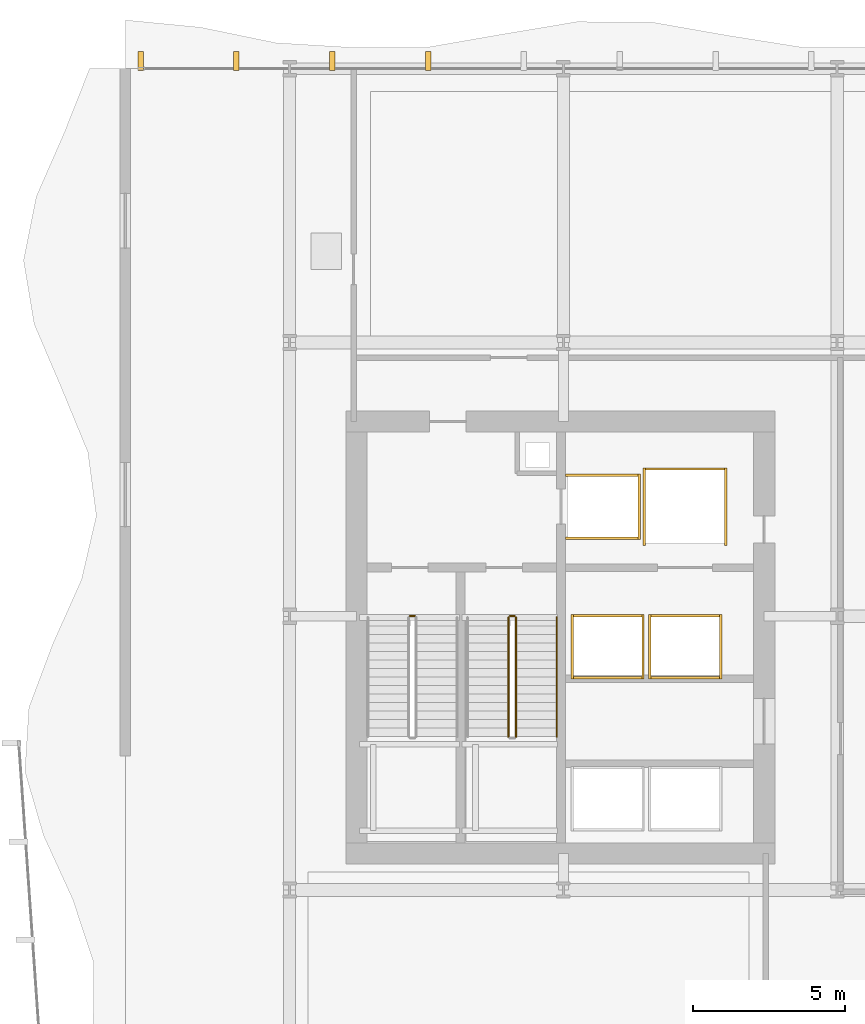
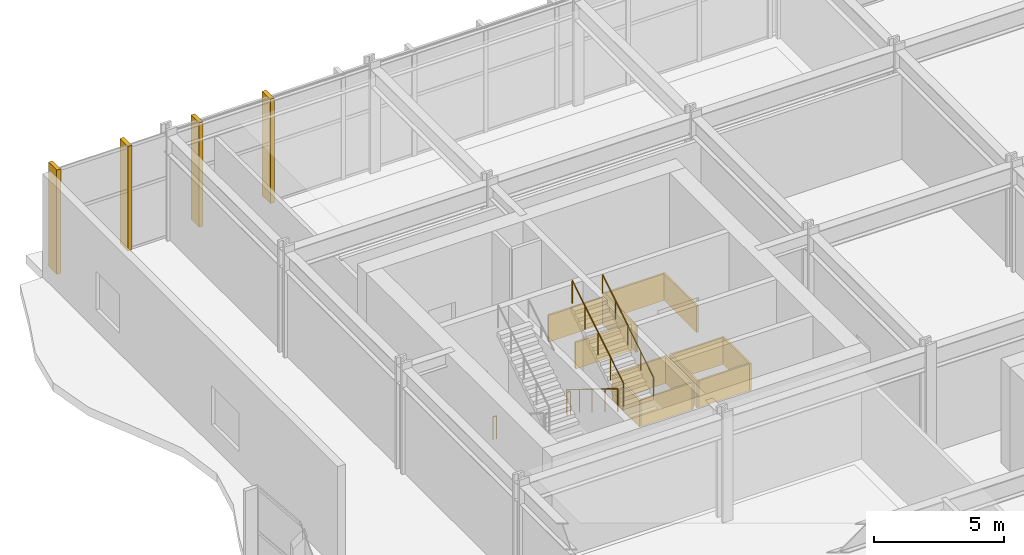
# One storey, part 29 of 31: 18 coverings, 5 railings.
"""IFC4 building model written with IfcOpenShell, lengths in metres."""

from ifc_helpers import new_model, si_unit, direction, frame, origin, origin_2d, place, context, subcontext, project, spatial, rectangle, circle, extrude, material, layer, layer_set, type_object, element, save


model = new_model("IFC4")

# Units and contexts
model_context = context("Model", 3, precision=1e-05, world=origin(), true_north=direction((0.0, 1.0)))
body_context = subcontext(model_context, "Body", "Model", "MODEL_VIEW")
ifc_project = project(units=[si_unit("LENGTHUNIT", "METRE"), si_unit("AREAUNIT", "SQUARE_METRE"), si_unit("VOLUMEUNIT", "CUBIC_METRE"), si_unit("PLANEANGLEUNIT", "RADIAN"), si_unit("MASSUNIT", "GRAM", prefix="KILO")], contexts=[model_context])

# Site, building, storey
site_placement = place(None, origin())
site = spatial("IfcSite", under=ifc_project, at=site_placement, CompositionType="ELEMENT")
building_placement = place(site_placement, origin())
building = spatial("IfcBuilding", under=site, at=building_placement, Name="Solvaryn Broadcast Tower", CompositionType="ELEMENT")
storey_placement = place(building_placement, frame((0.0, 0.0, 11.0)))
storey = spatial("IfcBuildingStorey", under=building, at=storey_placement, Name="L02", CompositionType="ELEMENT", Elevation=11.0)

# Coverings
ifc_material_1 = material(Name="Fire-Rated Gypsum Shaftwall Liner", Category="concrete")
ifc_layer_1 = layer(ifc_material_1, 0.080078125)
ifc_layer_set_1 = layer_set([ifc_layer_1], Name="CV-SHAFT-LINER")
covering_type_1 = type_object("IfcCoveringType", Name="CV-SHAFT-LINER", PredefinedType="CLADDING", material=ifc_layer_set_1)
for number, where, z_axis, x_axis, name in (
    (1, (19.300048828125, 40.639892578125, 0.0), (0.0, 0.0, 1.0), (1.0, 0.0, 0.0), "L02 FL1 Hoistway Shaft Liner North"),
    (2, (19.300048828125, 38.56005859375, 0.0), (0.0, 0.0, 1.0), (1.0, 0.0, 0.0), "L02 FL1 Hoistway Shaft Liner South"),
):
    element("IfcCovering", number, at=place(storey_placement, frame(where, z_axis=z_axis, x_axis=x_axis)), inside=storey, type_object=covering_type_1, Name=name, PredefinedType="CLADDING", context=body_context, shape_type="SweptSolid", body=[
        extrude(rectangle(XDim=2.4599609375, YDim=0.080078125, at=origin_2d()), origin(), (0.0, 0.0, 1.0), 1.25),
    ])
covering_1_placement = place(storey_placement, frame((20.489990234375, 39.60009765625, 0.0), z_axis=(0.0, 0.0, 1.0), x_axis=(1.0, 0.0, 0.0)))
element("IfcCovering", 3, at=covering_1_placement, inside=storey, type_object=covering_type_1, Name="L02 FL1 Hoistway Shaft Liner East", PredefinedType="CLADDING", context=body_context, shape_type="SweptSolid", body=[
    extrude(rectangle(XDim=0.080078125, YDim=2.159912109375, at=origin_2d()), origin(), (0.0, 0.0, 1.0), 1.25),
])
covering_2_placement = place(storey_placement, frame((22.0, 40.840087890625, 0.0), z_axis=(0.0, 0.0, 1.0), x_axis=(1.0, 0.0, 0.0)))
element("IfcCovering", 4, at=covering_2_placement, inside=storey, type_object=covering_type_1, Name="L02 SV1 Hoistway Shaft Liner North", PredefinedType="CLADDING", context=body_context, shape_type="SweptSolid", body=[
    extrude(rectangle(XDim=2.760009765625, YDim=0.080078125, at=origin_2d()), origin(), (0.0, 0.0, 1.0), 1.25),
])
for number, where, z_axis, x_axis, name in (
    (5, (23.340087890625, 39.60009765625, 0.0), (0.0, 0.0, 1.0), (1.0, 0.0, 0.0), "L02 SV1 Hoistway Shaft Liner East"),
    (6, (20.659912109375, 39.60009765625, 0.0), (0.0, 0.0, 1.0), (1.0, 0.0, 0.0), "L02 SV1 Hoistway Shaft Liner West"),
):
    element("IfcCovering", number, at=place(storey_placement, frame(where, z_axis=z_axis, x_axis=x_axis)), inside=storey, type_object=covering_type_1, Name=name, PredefinedType="CLADDING", context=body_context, shape_type="SweptSolid", body=[
        extrude(rectangle(XDim=0.080078125, YDim=2.56005859375, at=origin_2d()), origin(), (0.0, 0.0, 1.0), 1.25),
    ])
for number, where, z_axis, x_axis, name in (
    (7, (19.449951171875, 36.014892578125, 0.0), (0.0, 0.0, 1.0), (1.0, 0.0, 0.0), "L02 PH3 Hoistway Shaft Liner North"),
    (8, (19.449951171875, 33.985107421875, 0.0), (0.0, 0.0, 1.0), (1.0, 0.0, 0.0), "L02 PH3 Hoistway Shaft Liner South"),
):
    element("IfcCovering", number, at=place(storey_placement, frame(where, z_axis=z_axis, x_axis=x_axis)), inside=storey, type_object=covering_type_1, Name=name, PredefinedType="CLADDING", context=body_context, shape_type="SweptSolid", body=[
        extrude(rectangle(XDim=2.409912109375, YDim=0.080078125, at=origin_2d()), origin(), (0.0, 0.0, 1.0), 1.25),
    ])
for number, where, z_axis, x_axis, name in (
    (9, (20.614990234375, 35.0, 0.0), (0.0, 0.0, 1.0), (1.0, 0.0, 0.0), "L02 PH3 Hoistway Shaft Liner East"),
    (10, (18.284912109375, 35.0, 0.0), (0.0, 0.0, 1.0), (1.0, 0.0, 0.0), "L02 PH3 Hoistway Shaft Liner West"),
):
    element("IfcCovering", number, at=place(storey_placement, frame(where, z_axis=z_axis, x_axis=x_axis)), inside=storey, type_object=covering_type_1, Name=name, PredefinedType="CLADDING", context=body_context, shape_type="SweptSolid", body=[
        extrude(rectangle(XDim=0.080078125, YDim=2.110107421875, at=origin_2d()), origin(), (0.0, 0.0, 1.0), 1.25),
    ])
for number, where, z_axis, x_axis, name in (
    (11, (22.0, 36.014892578125, 0.0), (0.0, 0.0, 1.0), (1.0, 0.0, 0.0), "L02 PH4 Hoistway Shaft Liner North"),
    (12, (22.0, 33.985107421875, 0.0), (0.0, 0.0, 1.0), (1.0, 0.0, 0.0), "L02 PH4 Hoistway Shaft Liner South"),
):
    element("IfcCovering", number, at=place(storey_placement, frame(where, z_axis=z_axis, x_axis=x_axis)), inside=storey, type_object=covering_type_1, Name=name, PredefinedType="CLADDING", context=body_context, shape_type="SweptSolid", body=[
        extrude(rectangle(XDim=2.409912109375, YDim=0.080078125, at=origin_2d()), origin(), (0.0, 0.0, 1.0), 1.25),
    ])
for number, where, z_axis, x_axis, name in (
    (13, (23.1650390625, 35.0, 0.0), (0.0, 0.0, 1.0), (1.0, 0.0, 0.0), "L02 PH4 Hoistway Shaft Liner East"),
    (14, (20.8349609375, 35.0, 0.0), (0.0, 0.0, 1.0), (1.0, 0.0, 0.0), "L02 PH4 Hoistway Shaft Liner West"),
):
    element("IfcCovering", number, at=place(storey_placement, frame(where, z_axis=z_axis, x_axis=x_axis)), inside=storey, type_object=covering_type_1, Name=name, PredefinedType="CLADDING", context=body_context, shape_type="SweptSolid", body=[
        extrude(rectangle(XDim=0.080078125, YDim=2.110107421875, at=origin_2d()), origin(), (0.0, 0.0, 1.0), 1.25),
    ])
ifc_material_2 = material(Name="Extruded Architectural Terracotta Fin", Category="masonry")
ifc_layer_2 = layer(ifc_material_2, 0.179931640625)
ifc_layer_set_2 = layer_set([ifc_layer_2], Name="CV-TC-FIN")
covering_type_2 = type_object("IfcCoveringType", Name="CV-TC-FIN", PredefinedType="USERDEFINED", material=ifc_layer_set_2)
for number, where, z_axis, x_axis, name in (
    (15, (4.10009765625, 54.25, 0.0), (0.0, 0.0, 1.0), (1.0, 0.0, 0.0), "L02 Terracotta Vertical Fin FIN-POD-L02-N1-00"),
    (16, (7.25, 54.25, 0.0), (0.0, 0.0, 1.0), (1.0, 0.0, 0.0), "L02 Terracotta Vertical Fin FIN-POD-L02-N1-01"),
    (17, (10.39990234375, 54.25, 0.0), (0.0, 0.0, 1.0), (1.0, 0.0, 0.0), "L02 Terracotta Vertical Fin FIN-POD-L02-N1-02"),
    (18, (13.550048828125, 54.25, 0.0), (0.0, 0.0, 1.0), (1.0, 0.0, 0.0), "L02 Terracotta Vertical Fin FIN-POD-L02-N1-03"),
):
    element("IfcCovering", number, at=place(storey_placement, frame(where, z_axis=z_axis, x_axis=x_axis)), inside=storey, type_object=covering_type_2, Name=name, ObjectType="FIN", PredefinedType="USERDEFINED", context=body_context, shape_type="SweptSolid", body=[
        extrude(rectangle(XDim=0.179931640625, YDim=0.6201171875, at=origin_2d()), origin(), (0.0, 0.0, 1.0), 4.8798828125),
    ])

# Railings
ifc_material_3 = material(Name="Painted Steel Stair Well Guard", Category="steel")
railing_type_1 = type_object("IfcRailingType", Name="RL-STAIR-GUARD", PredefinedType="BALUSTRADE", material=ifc_material_3)
railing_1_placement = place(storey_placement, frame((12.9599609375, 36.010009765625, 0.0)))
element("IfcRailing", 19, at=railing_1_placement, inside=storey, type_object=railing_type_1, Name="L02 ST1 stair guard 4", PredefinedType="BALUSTRADE", context=body_context, shape_type="SweptSolid", body=[
    extrude(circle(Radius=0.02392578125, at=origin_2d()), frame((0.0, 0.0, 1.076171875), z_axis=(1.0, 0.0, 0.0), x_axis=(0.0, 1.0, 0.0)), (0.0, 0.0, 1.0), 0.150146484375),
    extrude(circle(Radius=0.02099609375, at=origin_2d()), origin(), (0.0, 0.0, 1.0), 1.052001953125),
    extrude(circle(Radius=0.02099609375, at=origin_2d()), frame((0.150146484375, 0.0, 0.0)), (0.0, 0.0, 1.0), 1.052001953125),
])
railing_2_placement = place(storey_placement, frame((16.18994140625, 35.9599609375, 0.17333984375)))
element("IfcRailing", 20, at=railing_2_placement, inside=storey, type_object=railing_type_1, Name="L02 ST2 stair guard 1", PredefinedType="BALUSTRADE", context=body_context, shape_type="SweptSolid", body=[
    extrude(circle(Radius=0.02392578125, at=origin_2d()), frame((0.0, 0.0, 1.076171875), z_axis=(0.0, -0.850251603719, 0.526376491091), x_axis=(1.0, 0.0, 0.0)), (0.0, 0.0, 1.0), 4.6103515625),
    extrude(circle(Radius=0.02099609375, at=origin_2d()), origin(), (0.0, 0.0, 1.0), 1.052001953125),
    extrude(circle(Radius=0.02099609375, at=origin_2d()), frame((0.0, -0.97998046875, 0.606689453125)), (0.0, 0.0, 1.0), 1.052001953125),
    extrude(circle(Radius=0.02099609375, at=origin_2d()), frame((0.0, -1.9599609375, 1.21337890625)), (0.0, 0.0, 1.0), 1.052001953125),
    extrude(circle(Radius=0.02099609375, at=origin_2d()), frame((0.0, -2.93994140625, 1.820068359375)), (0.0, 0.0, 1.0), 1.052001953125),
    extrude(circle(Radius=0.02099609375, at=origin_2d()), frame((0.0, -3.919921875, 2.4267578125)), (0.0, 0.0, 1.0), 1.052001953125),
])
railing_3_placement = place(storey_placement, frame((16.43994140625, 32.0400390625, 2.7734375)))
element("IfcRailing", 21, at=railing_3_placement, inside=storey, type_object=railing_type_1, Name="L02 ST2 stair guard 3", PredefinedType="BALUSTRADE", context=body_context, shape_type="SweptSolid", body=[
    extrude(circle(Radius=0.02392578125, at=origin_2d()), frame((0.0, 0.0, 1.076171875), z_axis=(0.0, 0.850275303828, 0.526338206574), x_axis=(-1.0, 0.0, 0.0)), (0.0, 0.0, 1.0), 4.610107421875),
    extrude(circle(Radius=0.02099609375, at=origin_2d()), origin(), (0.0, 0.0, 1.0), 1.052001953125),
    extrude(circle(Radius=0.02099609375, at=origin_2d()), frame((0.0, 0.97998046875, 0.606689453125)), (0.0, 0.0, 1.0), 1.052001953125),
    extrude(circle(Radius=0.02099609375, at=origin_2d()), frame((0.0, 1.9599609375, 1.21337890625)), (0.0, 0.0, 1.0), 1.052001953125),
    extrude(circle(Radius=0.02099609375, at=origin_2d()), frame((0.0, 2.93994140625, 1.81982421875)), (0.0, 0.0, 1.0), 1.052001953125),
    extrude(circle(Radius=0.02099609375, at=origin_2d()), frame((0.0, 3.919921875, 2.426513671875)), (0.0, 0.0, 1.0), 1.052001953125),
])
railing_4_placement = place(storey_placement, frame((16.239990234375, 36.010009765625, 0.0)))
element("IfcRailing", 22, at=railing_4_placement, inside=storey, type_object=railing_type_1, Name="L02 ST2 stair guard 4", PredefinedType="BALUSTRADE", context=body_context, shape_type="SweptSolid", body=[
    extrude(circle(Radius=0.02392578125, at=origin_2d()), frame((0.0, 0.0, 1.076171875), z_axis=(1.0, 0.0, 0.0), x_axis=(0.0, 1.0, 0.0)), (0.0, 0.0, 1.0), 0.14990234375),
    extrude(circle(Radius=0.02099609375, at=origin_2d()), origin(), (0.0, 0.0, 1.0), 1.052001953125),
    extrude(circle(Radius=0.02099609375, at=origin_2d()), frame((0.14990234375, 0.0, 0.0)), (0.0, 0.0, 1.0), 1.052001953125),
])
ifc_material_4 = material(Name="Brushed Stainless Steel Tubular Handrail", Category="steel")
railing_type_2 = type_object("IfcRailingType", Name="RL-STAIR-HANDRAIL", PredefinedType="HANDRAIL", material=ifc_material_4)
railing_5_placement = place(storey_placement, frame((17.780029296875, 32.0400390625, 2.7734375)))
element("IfcRailing", 23, at=railing_5_placement, inside=storey, type_object=railing_type_2, Name="L02 ST2 stair handrail 2", PredefinedType="HANDRAIL", context=body_context, shape_type="SweptSolid", body=[
    extrude(circle(Radius=0.02392578125, at=origin_2d()), frame((0.0, 0.0, 0.8759765625), z_axis=(0.0, 0.850275303828, 0.526338206574), x_axis=(-1.0, 0.0, 0.0)), (0.0, 0.0, 1.0), 4.610107421875),
    extrude(circle(Radius=0.02099609375, at=origin_2d()), origin(), (0.0, 0.0, 1.0), 0.851806640625),
    extrude(circle(Radius=0.02099609375, at=origin_2d()), frame((0.0, 0.97998046875, 0.606689453125)), (0.0, 0.0, 1.0), 0.851806640625),
    extrude(circle(Radius=0.02099609375, at=origin_2d()), frame((0.0, 1.9599609375, 1.21337890625)), (0.0, 0.0, 1.0), 0.851806640625),
    extrude(circle(Radius=0.02099609375, at=origin_2d()), frame((0.0, 2.93994140625, 1.81982421875)), (0.0, 0.0, 1.0), 0.851806640625),
    extrude(circle(Radius=0.02099609375, at=origin_2d()), frame((0.0, 3.919921875, 2.426513671875)), (0.0, 0.0, 1.0), 0.851806640625),
])

save(model, "model.ifc")
